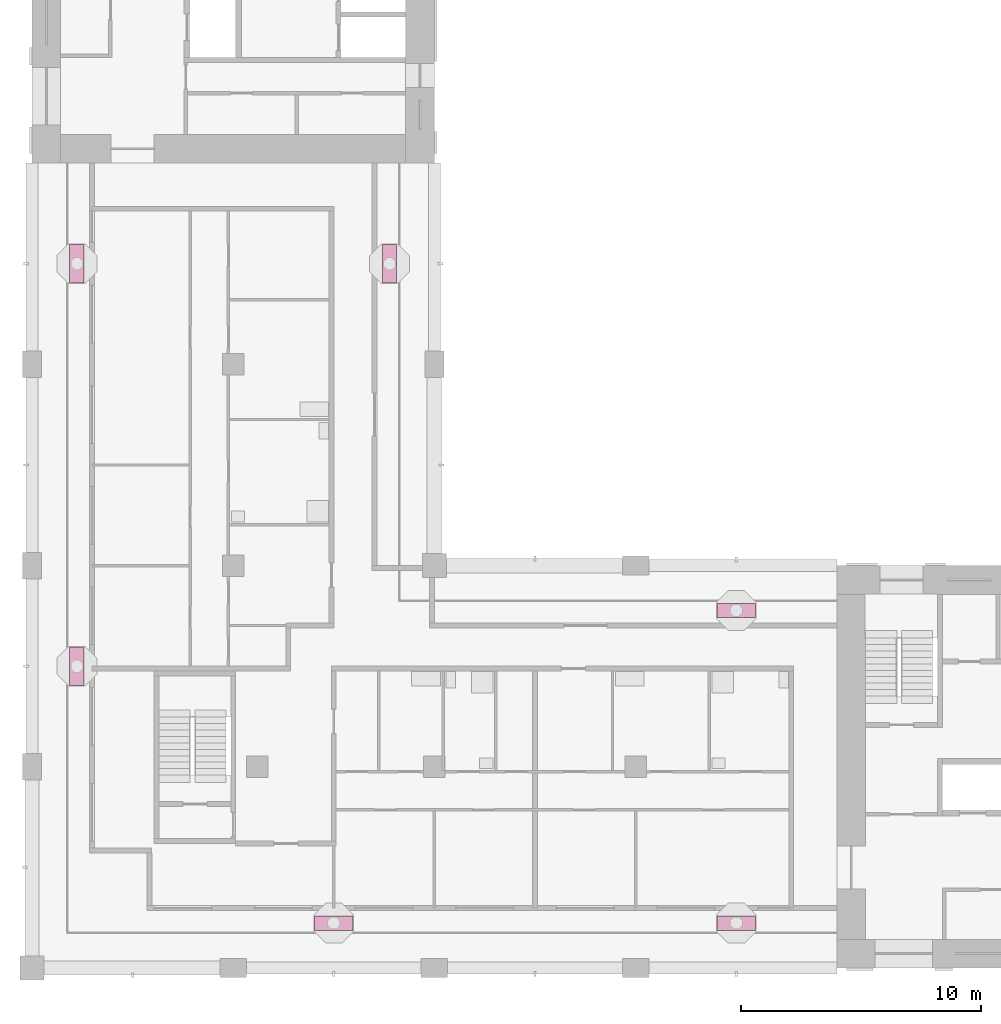
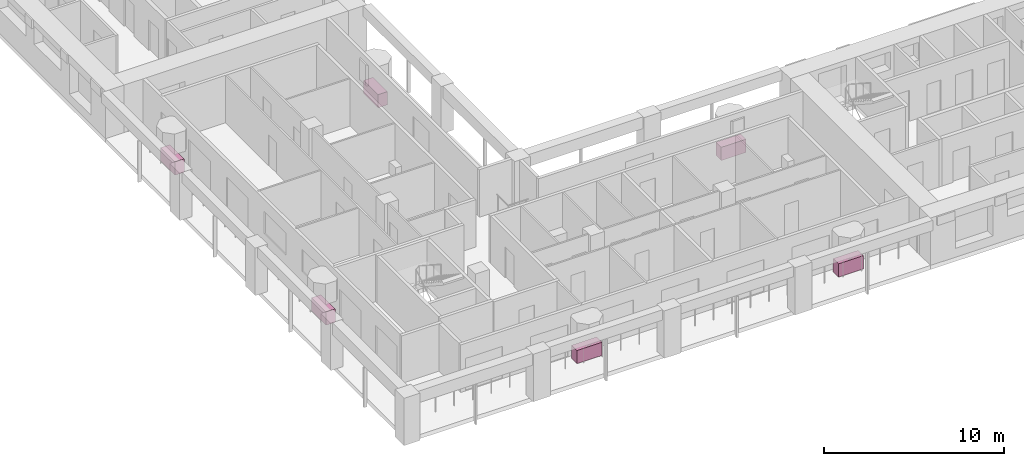
# One storey, part 10 of 11: 6 furniture elements.
"""IFC4 building model written with IfcOpenShell, lengths in metres."""

import ifcopenshell
import ifcopenshell.guid

model = None  # the IFC model being written
_history = None  # IfcOwnerHistory: only IFC2X3 demands one
_inside = {}  # id of a spatial element -> (the spatial element, [elements in it])
_under = {}  # id of a project, library or spatial element -> (it, [spatial elements below it])
_declared = {}  # id of a project -> (the project, [libraries it declares])
_typed = {}  # id of a type object -> (the type object, [elements of that type])
_made_of = {}  # id of a material, layer set ... -> (it, [elements and type objects made of it])


def new_model(schema):
    """Start an empty IFC model of exactly this schema.

    Asked for "IFC4X3", IfcOpenShell would pick the latest addendum, in which some entities
    have other attributes; the version numbers below select the first issue.
    IFC2X3 requires an IfcOwnerHistory on every rooted entity: one is made here for all.
    """
    global model, _history
    if schema == "IFC4X3":
        model = ifcopenshell.file(schema_version=(4, 3, 0, 0))
    else:
        model = ifcopenshell.file(schema=schema)
    _inside.clear()
    _under.clear()
    _declared.clear()
    _typed.clear()
    _made_of.clear()
    _history = None
    if model.schema == "IFC2X3":
        org = make("IfcOrganization", Name="unknown")
        user = make(
            "IfcPersonAndOrganization",
            ThePerson=make("IfcPerson", FamilyName="unknown"),
            TheOrganization=org,
        )
        app = make(
            "IfcApplication",
            ApplicationDeveloper=org,
            Version="unknown",
            ApplicationFullName="unknown",
            ApplicationIdentifier="unknown",
        )
        _history = make(
            "IfcOwnerHistory",
            OwningUser=user,
            OwningApplication=app,
            ChangeAction="ADDED",
            CreationDate=0,
        )
    return model


def make(cls, **values):
    """One entity of the class cls with the attributes given. An attribute that is None is left unset."""
    return model.create_entity(
        cls, **{name: value for name, value in values.items() if value is not None}
    )


def rooted(cls, **values):
    """An entity with a GlobalId (a new one), such as an element, a storey or a relation."""
    return make(cls, GlobalId=ifcopenshell.guid.new(), OwnerHistory=_history, **values)


def si_unit(unit_type, name, prefix=None):
    """IfcSIUnit, for example si_unit("LENGTHUNIT", "METRE", prefix="MILLI")."""
    return make("IfcSIUnit", UnitType=unit_type, Prefix=prefix, Name=name)


def assignment(units):
    """IfcUnitAssignment: the units of a project."""
    return None if units is None else make("IfcUnitAssignment", Units=units)


def point(xyz):
    """IfcCartesianPoint."""
    return None if xyz is None else make("IfcCartesianPoint", Coordinates=xyz)


def direction(xyz):
    """IfcDirection."""
    return None if xyz is None else make("IfcDirection", DirectionRatios=xyz)


def frame(location, z_axis=None, x_axis=None):
    """IfcAxis2Placement3D, a coordinate frame: its origin and axes. An axis left out is left unset."""
    return make(
        "IfcAxis2Placement3D",
        Location=point(location),
        Axis=direction(z_axis),
        RefDirection=direction(x_axis),
    )


def frame_2d(location, x_axis=None):
    """IfcAxis2Placement2D, a coordinate frame in the plane: its origin and x axis."""
    return make(
        "IfcAxis2Placement2D", Location=point(location), RefDirection=direction(x_axis)
    )


def origin():
    """The frame at (0, 0, 0) with its axes left unset."""
    return frame((0.0, 0.0, 0.0))


def origin_2d():
    """The frame at (0, 0) in the plane with its x axis left unset."""
    return frame_2d((0.0, 0.0))


def place(relative_to, where):
    """IfcLocalPlacement: puts the frame where relative to a parent placement (None: the world)."""
    return make(
        "IfcLocalPlacement", PlacementRelTo=relative_to, RelativePlacement=where
    )


def context(
    kind, dimensions, precision=None, world=None, true_north=None, identifier=None
):
    """IfcGeometricRepresentationContext, for example the 3D "Model" context."""
    return make(
        "IfcGeometricRepresentationContext",
        ContextIdentifier=identifier,
        ContextType=kind,
        CoordinateSpaceDimension=dimensions,
        Precision=precision,
        WorldCoordinateSystem=world,
        TrueNorth=true_north,
    )


def subcontext(parent, identifier, kind, view, scale=None):
    """IfcGeometricRepresentationSubContext, for example "Body" below "Model"."""
    return make(
        "IfcGeometricRepresentationSubContext",
        ContextIdentifier=identifier,
        ContextType=kind,
        ParentContext=parent,
        TargetScale=scale,
        TargetView=view,
    )


def project(units=None, contexts=None):
    """IfcProject with its units and contexts."""
    return rooted(
        "IfcProject",
        Name="project",
        RepresentationContexts=contexts,
        UnitsInContext=assignment(units),
    )


def spatial(cls, under=None, at=None, **own):
    """A site, building, storey or space (cls), placed at a placement, below another one or the project."""
    s = rooted(cls, ObjectPlacement=at, **own)
    if under is not None:
        _under.setdefault(under.id(), (under, []))[1].append(s)
    return s


def profile(cls, at=None, kind="AREA", **sizes):
    """A parametric profile (cls). Its sizes go by their IFC names, for example OverallWidth=200.0."""
    return make(cls, ProfileType=kind, Position=at, **sizes)


def rectangle(**sizes):
    """IfcRectangleProfileDef."""
    return profile("IfcRectangleProfileDef", **sizes)


def extrude(swept, where, along, depth):
    """IfcExtrudedAreaSolid: the profile swept, set in the frame where, extruded along a direction by depth."""
    return make(
        "IfcExtrudedAreaSolid",
        SweptArea=swept,
        Position=where,
        ExtrudedDirection=direction(along),
        Depth=depth,
    )


def shape(context_of_items, identifier, shape_type, items):
    """IfcShapeRepresentation: the items that make up one representation, for example the "Body"."""
    return make(
        "IfcShapeRepresentation",
        ContextOfItems=context_of_items,
        RepresentationIdentifier=identifier,
        RepresentationType=shape_type,
        Items=items,
    )


def material(Name=None, Category=None):
    """IfcMaterial."""
    return make("IfcMaterial", Name=Name, Category=Category)


def made_of(thing, what):
    """Note that an element or type object is made of a material, layer set ...; save() writes the relation."""
    if what is not None:
        _made_of.setdefault(what.id(), (what, []))[1].append(thing)
    return thing


def element(
    cls,
    number,
    at=None,
    inside=None,
    cuts=None,
    type_object=None,
    material=None,
    context=None,
    identifier="Body",
    shape_type=None,
    held_by="IfcProductDefinitionShape",
    body=None,
    shapes=None,
    **own,
):
    """One element of the class cls, such as IfcWall. Its Tag is "e" and its number.

    at: its placement. inside: the storey or other place that contains it. cuts: it is an
    opening in that element (IfcRelVoidsElement). A single representation is given by context,
    identifier, shape_type and body (its items); several are given by shapes. held_by: the class
    of the entity that holds the representations. save() writes the other relations.
    """
    e = rooted(cls, Tag="e%d" % number, ObjectPlacement=at, **own)
    if body is not None:
        shapes = [shape(context, identifier, shape_type, body)]
    if shapes is not None:
        e.Representation = make(held_by, Representations=shapes)
    if inside is not None:
        _inside.setdefault(inside.id(), (inside, []))[1].append(e)
    if cuts is not None:
        rooted(
            "IfcRelVoidsElement", RelatingBuildingElement=cuts, RelatedOpeningElement=e
        )
    if type_object is not None:
        _typed.setdefault(type_object.id(), (type_object, []))[1].append(e)
    return made_of(e, material)


def aggregate(whole, parts):
    """IfcRelAggregates: a whole, such as a stair, and the parts it consists of."""
    return rooted("IfcRelAggregates", RelatingObject=whole, RelatedObjects=parts)


def save(model, path):
    """Write the relations noted so far, then the file.

    IfcRelAggregates (storeys below a building ...), IfcRelContainedInSpatialStructure (elements
    in a storey), IfcRelDefinesByType, IfcRelAssociatesMaterial and IfcRelDeclares: one each for
    every whole, place, type object, material and project.
    """
    for whole, parts in _under.values():
        aggregate(whole, parts)
    for where, things in _inside.values():
        rooted(
            "IfcRelContainedInSpatialStructure",
            RelatedElements=things,
            RelatingStructure=where,
        )
    for kind, things in _typed.values():
        rooted("IfcRelDefinesByType", RelatedObjects=things, RelatingType=kind)
    for what, things in _made_of.values():
        rooted("IfcRelAssociatesMaterial", RelatedObjects=things, RelatingMaterial=what)
    for by, libraries in _declared.values():
        rooted("IfcRelDeclares", RelatingContext=by, RelatedDefinitions=libraries)
    model.write(path)


model = new_model("IFC4")

# Units and contexts
model_context = context("Model", 3, precision=1e-05, world=origin(), true_north=direction((0.0, 1.0)))
body_context = subcontext(model_context, "Body", "Model", "MODEL_VIEW")
ifc_project = project(units=[si_unit("LENGTHUNIT", "METRE"), si_unit("AREAUNIT", "SQUARE_METRE"), si_unit("VOLUMEUNIT", "CUBIC_METRE"), si_unit("PLANEANGLEUNIT", "RADIAN"), si_unit("MASSUNIT", "GRAM", prefix="KILO")], contexts=[model_context])

# Site, building, storey
site_placement = place(None, origin())
site = spatial("IfcSite", under=ifc_project, at=site_placement, CompositionType="ELEMENT")
building_placement = place(site_placement, origin())
building = spatial("IfcBuilding", under=site, at=building_placement, Name="Vermilion Gate Residences", CompositionType="ELEMENT")
storey_placement = place(building_placement, frame((0.0, 0.0, 263.199951171875)))
storey = spatial("IfcBuildingStorey", under=building, at=storey_placement, Name="L69", CompositionType="ELEMENT", Elevation=263.199951171875)

# Furniture
ifc_material = material(Name="Terracotta planter", Category="masonry")
for number, where, z_axis, x_axis, name in (
    (1, (21.0, 10.27490234375, 0.0), (0.0, 0.0, 1.0), (1.0, 0.0, 0.0), "PLANTER"),
    (2, (37.800048828125, 10.27490234375, 0.0), (0.0, 0.0, 1.0), (1.0, 0.0, 0.0), "PLANTER"),
    (3, (37.800048828125, 23.324951171875, 0.0), (0.0, 0.0, 1.0), (-1.0, 0.0, 0.0), "PLANTER"),
    (4, (23.324951171875, 37.800048828125, 0.0), (0.0, 0.0, 1.0), (0.0, 1.0, 0.0), "PLANTER"),
    (5, (10.27490234375, 21.0, 0.0), (0.0, 0.0, 1.0), (0.0, -1.0, 0.0), "PLANTER"),
    (6, (10.27490234375, 37.800048828125, 0.0), (0.0, 0.0, 1.0), (0.0, -1.0, 0.0), "PLANTER"),
):
    element("IfcFurniture", number, at=place(storey_placement, frame(where, z_axis=z_axis, x_axis=x_axis)), inside=storey, material=ifc_material, Name=name, ObjectType="PLANTER", PredefinedType="USERDEFINED", context=body_context, shape_type="SweptSolid", body=[
        extrude(rectangle(XDim=1.60009765625, YDim=0.60009765625, at=origin_2d()), origin(), (0.0, 0.0, 1.0), 0.89990234375),
    ])

save(model, "model.ifc")
